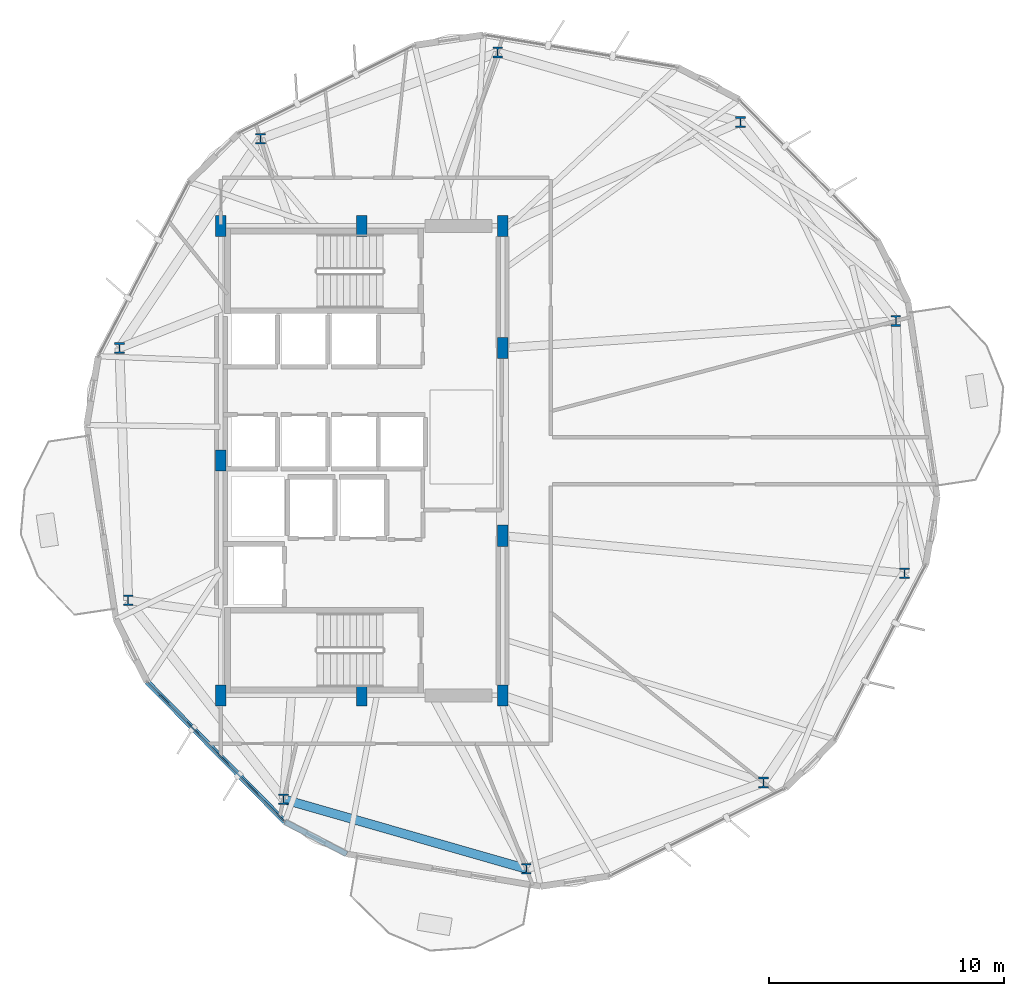
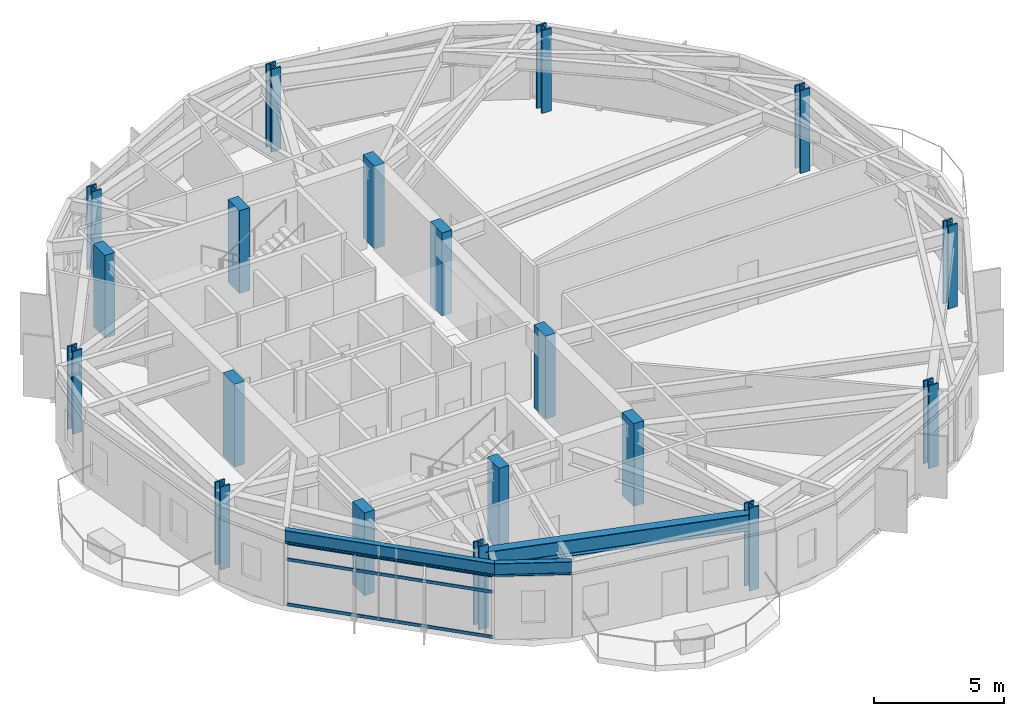
# One storey, part 1 of 22: 19 columns, 3 beams, 3 members, 1 element without a shape of its own.
"""IFC4 building model written with IfcOpenShell, lengths in metres."""

from ifc_helpers import new_model, si_unit, direction, frame, origin, origin_2d, place, context, subcontext, project, spatial, rectangle, hollow_rectangle, i_section, extrude, material, layer, layer_set, material_profile, profile_set, type_object, element, aggregate, save


model = new_model("IFC4")

# Units and contexts
model_context = context("Model", 3, precision=1e-05, world=origin(), true_north=direction((0.0, 1.0)))
body_context = subcontext(model_context, "Body", "Model", "MODEL_VIEW")
ifc_project = project(units=[si_unit("LENGTHUNIT", "METRE"), si_unit("AREAUNIT", "SQUARE_METRE"), si_unit("VOLUMEUNIT", "CUBIC_METRE"), si_unit("PLANEANGLEUNIT", "RADIAN"), si_unit("MASSUNIT", "GRAM", prefix="KILO")], contexts=[model_context])

# Site, building, storey
site_placement = place(None, origin())
site = spatial("IfcSite", under=ifc_project, at=site_placement, CompositionType="ELEMENT")
building_placement = place(site_placement, origin())
building = spatial("IfcBuilding", under=site, at=building_placement, Name="Soratama Intermodal Tower", CompositionType="ELEMENT")
storey_placement = place(building_placement, frame((0.0, 0.0, 130.300048828125)))
storey = spatial("IfcBuildingStorey", under=building, at=storey_placement, Name="L31", CompositionType="ELEMENT", Elevation=130.300048828125)

# Columns
ifc_material_1 = material(Name="Structural steel ASTM A992 Grade 50", Category="steel")
ifc_material_profile_1 = material_profile(ifc_material_1, i_section(OverallWidth=0.41796875, OverallDepth=0.455078125, WebThickness=0.0419921875, FlangeThickness=0.067626953125, FilletRadius=0.0380859375, at=origin_2d()), Name="W14X370")
ifc_profile_set_1 = profile_set([ifc_material_profile_1], Name="Structural steel ASTM A992 Grade 50")
column_type_1 = type_object("IfcColumnType", Name="COL-ZB-W14X370", PredefinedType="COLUMN", material=ifc_profile_set_1)
for number, where, z_axis, x_axis, name in (
    (1, (61.3505859375, 30.951171875, 0.0), (0.0, 0.0, 1.0), (1.0, 0.0, 0.0), "L31 Tower Ring Column R01"),
    (2, (54.72998046875, 39.42529296875, 0.0), (0.0, 0.0, 1.0), (1.0, 0.0, 0.0), "L31 Tower Ring Column R02"),
    (3, (44.392578125, 42.389404296875, 0.0), (0.0, 0.0, 1.0), (1.0, 0.0, 0.0), "L31 Tower Ring Column R03"),
    (4, (34.28759765625, 38.71142578125, 0.0), (0.0, 0.0, 1.0), (1.0, 0.0, 0.0), "L31 Tower Ring Column R04"),
    (5, (28.27392578125, 29.796142578125, 0.0), (0.0, 0.0, 1.0), (1.0, 0.0, 0.0), "L31 Tower Ring Column R05"),
    (6, (28.6494140625, 19.048828125, 0.0), (0.0, 0.0, 1.0), (1.0, 0.0, 0.0), "L31 Tower Ring Column R06"),
    (7, (35.27001953125, 10.57470703125, 0.0), (0.0, 0.0, 1.0), (1.0, 0.0, 0.0), "L31 Tower Ring Column R07"),
    (8, (45.607421875, 7.610595703125, 0.0), (0.0, 0.0, 1.0), (1.0, 0.0, 0.0), "L31 Tower Ring Column R08"),
    (9, (55.71240234375, 11.28857421875, 0.0), (0.0, 0.0, 1.0), (1.0, 0.0, 0.0), "L31 Tower Ring Column R09"),
    (10, (61.72607421875, 20.203857421875, 0.0), (0.0, 0.0, 1.0), (1.0, 0.0, 0.0), "L31 Tower Ring Column R10"),
):
    element("IfcColumn", number, at=place(storey_placement, frame(where, z_axis=z_axis, x_axis=x_axis)), inside=storey, type_object=column_type_1, Name=name, PredefinedType="COLUMN", context=body_context, shape_type="SweptSolid", body=[
        extrude(i_section(OverallWidth=0.41796875, OverallDepth=0.455078125, WebThickness=0.0419921875, FlangeThickness=0.067626953125, FilletRadius=0.0380859375, at=origin_2d()), origin(), (0.0, 0.0, 1.0), 3.89990234375),
    ])
ifc_material_2 = material(Name="Concrete f'c 56 MPa", Category="concrete")
ifc_material_profile_2 = material_profile(ifc_material_2, rectangle(XDim=0.449951171875, YDim=0.89990234375, at=origin_2d()), Name="RC450X900")
ifc_profile_set_2 = profile_set([ifc_material_profile_2], Name="Concrete f'c 56 MPa")
column_type_2 = type_object("IfcColumnType", Name="PIL-CORE-450X900", PredefinedType="PILASTER", material=ifc_profile_set_2)
for number, where, z_axis, x_axis, name in (
    (11, (32.60009765625, 15.0, 0.0), (0.0, 0.0, 1.0), (1.0, 0.0, 0.0), "L31 Core Pilaster 1"),
    (12, (32.60009765625, 25.0, 0.0), (0.0, 0.0, 1.0), (1.0, 0.0, 0.0), "L31 Core Pilaster 2"),
    (13, (32.60009765625, 35.0, 0.0), (0.0, 0.0, 1.0), (1.0, 0.0, 0.0), "L31 Core Pilaster 3"),
    (14, (38.60009765625, 15.0, 0.0), (0.0, 0.0, 1.0), (1.0, 0.0, 0.0), "L31 Core Pilaster 4"),
    (15, (38.60009765625, 35.0, 0.0), (0.0, 0.0, 1.0), (1.0, 0.0, 0.0), "L31 Core Pilaster 5"),
    (16, (44.60009765625, 15.0, 0.0), (0.0, 0.0, 1.0), (1.0, 0.0, 0.0), "L31 Core Pilaster 6"),
    (17, (44.60009765625, 21.800048828125, 0.0), (0.0, 0.0, 1.0), (1.0, 0.0, 0.0), "L31 Core Pilaster 7"),
    (18, (44.60009765625, 29.800048828125, 0.0), (0.0, 0.0, 1.0), (1.0, 0.0, 0.0), "L31 Core Pilaster 8"),
    (19, (44.60009765625, 35.0, 0.0), (0.0, 0.0, 1.0), (1.0, 0.0, 0.0), "L31 Core Pilaster 9"),
):
    element("IfcColumn", number, at=place(storey_placement, frame(where, z_axis=z_axis, x_axis=x_axis)), inside=storey, type_object=column_type_2, Name=name, PredefinedType="PILASTER", context=body_context, shape_type="SweptSolid", body=[
        extrude(rectangle(XDim=0.449951171875, YDim=0.89990234375, at=origin_2d()), origin(), (0.0, 0.0, 1.0), 3.89990234375),
    ])

# Beams
ifc_material_3 = material(Name="Structural steel ASTM A992 Grade 50", Category="steel")
ifc_material_profile_3 = material_profile(ifc_material_3, i_section(OverallWidth=0.382080078125, OverallDepth=0.779052734375, WebThickness=0.01806640625, FlangeThickness=0.030029296875, FilletRadius=0.01806640625, at=origin_2d()), Name="W30X191")
ifc_profile_set_3 = profile_set([ifc_material_profile_3], Name="Structural steel ASTM A992 Grade 50")
beam_type_1 = type_object("IfcBeamType", Name="BM-RING-W30X191", PredefinedType="BEAM", material=ifc_profile_set_3)
beam_1_placement = place(storey_placement, frame((35.27001953125, 10.574951171875, 3.17041015625), z_axis=(0.961266505995, -0.275620580604, 0.0), x_axis=(0.275620580604, 0.961266505995, 0.0)))
element("IfcBeam", 20, at=beam_1_placement, inside=storey, type_object=beam_type_1, Name="BM-L31-RING-07", PredefinedType="BEAM", context=body_context, shape_type="SweptSolid", body=[
    extrude(i_section(OverallWidth=0.382080078125, OverallDepth=0.779052734375, WebThickness=0.01806640625, FlangeThickness=0.030029296875, FilletRadius=0.01806640625, at=origin_2d()), origin(), (0.0, 0.0, 1.0), 10.75341796875),
])
ifc_material_4 = material(Name="Structural steel ASTM A992 Grade 50", Category="steel")
ifc_material_profile_4 = material_profile(ifc_material_4, i_section(OverallWidth=0.22900390625, OverallDepth=0.612060546875, WebThickness=0.011962890625, FlangeThickness=0.01953125, FilletRadius=0.012939453125, at=origin_2d()), Name="W24X84")
ifc_profile_set_4 = profile_set([ifc_material_profile_4], Name="Structural steel ASTM A992 Grade 50")
beam_type_2 = type_object("IfcBeamType", Name="BM-SPN-W24X84", PredefinedType="SPANDREL", material=ifc_profile_set_4)
beam_2_placement = place(storey_placement, frame((29.450927734375, 15.5830078125, 3.25390625), z_axis=(0.701179714577, -0.71298457758, 0.0), x_axis=(0.71298457758, 0.701179714577, 0.0)))
element("IfcBeam", 21, at=beam_2_placement, inside=storey, type_object=beam_type_2, Name="BS-L31-F06", PredefinedType="SPANDREL", context=body_context, shape_type="SweptSolid", body=[
    extrude(i_section(OverallWidth=0.22900390625, OverallDepth=0.612060546875, WebThickness=0.011962890625, FlangeThickness=0.01953125, FilletRadius=0.012939453125, at=origin_2d()), origin(), (0.0, 0.0, 1.0), 8.3759765625),
])
beam_3_placement = place(storey_placement, frame((35.323974609375, 9.611083984375, 3.25390625), z_axis=(0.887153470033, -0.461474506998, 0.0), x_axis=(0.461474506998, 0.887153470033, 0.0)))
element("IfcBeam", 22, at=beam_3_placement, inside=storey, type_object=beam_type_2, Name="BS-L31-CRN06", PredefinedType="SPANDREL", context=body_context, shape_type="SweptSolid", body=[
    extrude(i_section(OverallWidth=0.22900390625, OverallDepth=0.612060546875, WebThickness=0.011962890625, FlangeThickness=0.01953125, FilletRadius=0.012939453125, at=origin_2d()), origin(), (0.0, 0.0, 1.0), 2.966796875),
])

# Curtain wall, members
ifc_material_5 = material(Name="Double-glazed aluminium curtain wall", Category="aluminium")
ifc_layer = layer(ifc_material_5, 0.159912109375)
ifc_layer_set = layer_set([ifc_layer], Name="Double-glazed aluminium curtain wall")
curtain_wall_type = type_object("IfcCurtainWallType", Name="CW-SYS-3", PredefinedType="NOTDEFINED", material=ifc_layer_set)
curtain_wall_placement = place(storey_placement, origin())
curtain_wall = element("IfcCurtainWall", 23, at=curtain_wall_placement, inside=storey, type_object=curtain_wall_type, Name="L31 Faceted Curtain Wall F06", PredefinedType="NOTDEFINED")
ifc_material_6 = material(Name="Anodised aluminium AA 6063-T6", Category="aluminium")
ifc_material_profile_5 = material_profile(ifc_material_6, hollow_rectangle(XDim=0.06494140625, YDim=0.14990234375, WallThickness=0.0048828125, InnerFilletRadius=0.0048828125, OuterFilletRadius=0.010009765625, at=origin_2d()), Name="CWT150X65X5")
ifc_profile_set_5 = profile_set([ifc_material_profile_5], Name="Anodised aluminium AA 6063-T6")
member_type = type_object("IfcMemberType", Name="TT-CWT-1", PredefinedType="USERDEFINED", material=ifc_profile_set_5)
member_1_placement = place(storey_placement, frame((29.49267578125, 15.5400390625, 0.030029296875), z_axis=(0.701168013915, -0.712996084325, 0.0), x_axis=(0.712996084325, 0.701168013915, 0.0)))
member_1 = element("IfcMember", 24, at=member_1_placement, type_object=member_type, Name="CW-3 transom 1.1", ObjectType="TRANSOM", PredefinedType="USERDEFINED", context=body_context, shape_type="SweptSolid", body=[
    extrude(hollow_rectangle(XDim=0.06494140625, YDim=0.14990234375, WallThickness=0.0048828125, InnerFilletRadius=0.0048828125, OuterFilletRadius=0.010009765625, at=origin_2d()), origin(), (0.0, 0.0, 1.0), 8.25634765625),
])
member_2_placement = place(storey_placement, frame((29.49267578125, 15.5400390625, 2.14990234375), z_axis=(0.701168013915, -0.712996084325, 0.0), x_axis=(0.712996084325, 0.701168013915, 0.0)))
member_2 = element("IfcMember", 25, at=member_2_placement, type_object=member_type, Name="CW-3 transom 1.2", ObjectType="TRANSOM", PredefinedType="USERDEFINED", context=body_context, shape_type="SweptSolid", body=[
    extrude(hollow_rectangle(XDim=0.06494140625, YDim=0.14990234375, WallThickness=0.0048828125, InnerFilletRadius=0.0048828125, OuterFilletRadius=0.010009765625, at=origin_2d()), origin(), (0.0, 0.0, 1.0), 8.25634765625),
])
member_3_placement = place(storey_placement, frame((29.49267578125, 15.5400390625, 2.908935546875), z_axis=(0.701168013915, -0.712996084325, 0.0), x_axis=(0.712996084325, 0.701168013915, 0.0)))
member_3 = element("IfcMember", 26, at=member_3_placement, type_object=member_type, Name="CW-3 transom 1.3", ObjectType="TRANSOM", PredefinedType="USERDEFINED", context=body_context, shape_type="SweptSolid", body=[
    extrude(hollow_rectangle(XDim=0.06494140625, YDim=0.14990234375, WallThickness=0.0048828125, InnerFilletRadius=0.0048828125, OuterFilletRadius=0.010009765625, at=origin_2d()), origin(), (0.0, 0.0, 1.0), 8.25634765625),
])
aggregate(curtain_wall, [member_1, member_2, member_3])

save(model, "model.ifc")
